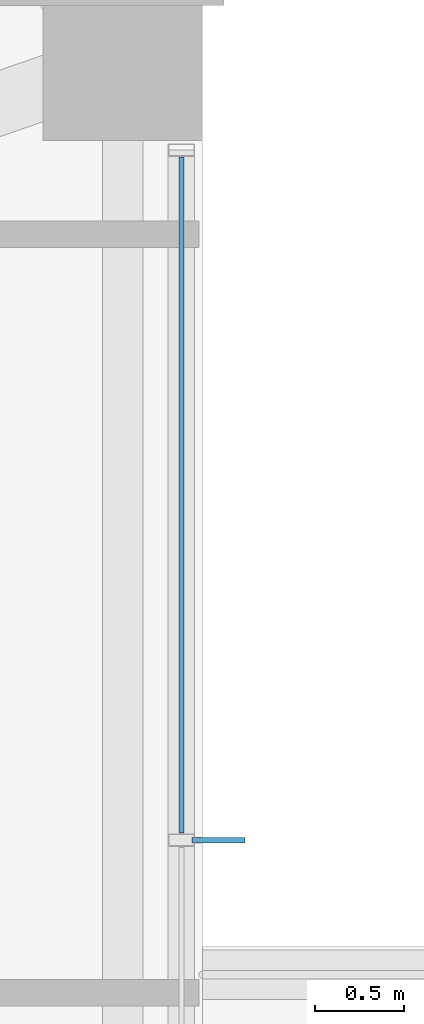
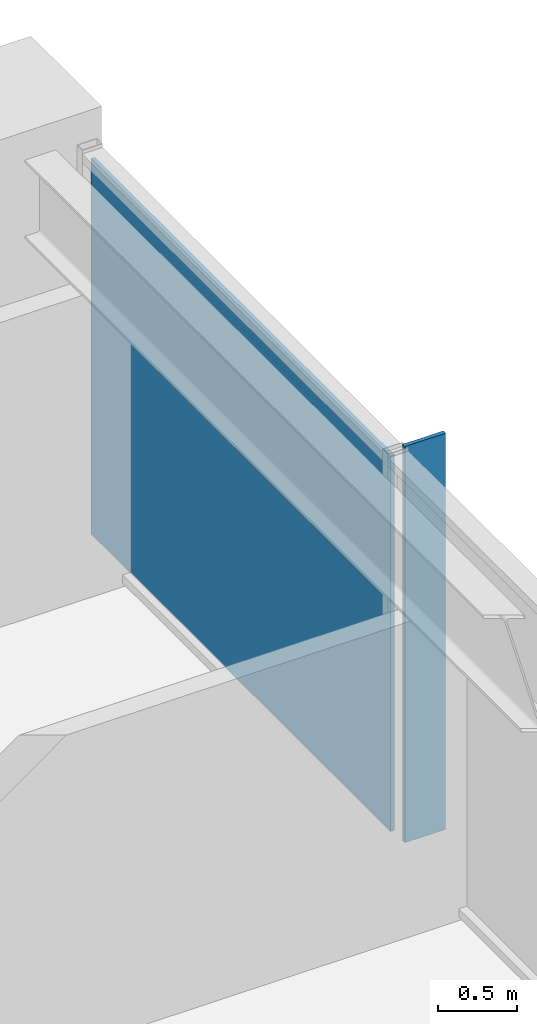
# One storey, part 26 of 34: 2 plates, 1 element without a shape of its own.
"""IFC4 building model written with IfcOpenShell, lengths in metres."""

from ifc_helpers import new_model, si_unit, direction, frame, origin, origin_2d, place, context, subcontext, project, spatial, rectangle, extrude, material, layer, layer_set, type_object, element, aggregate, save


model = new_model("IFC4")

# Units and contexts
model_context = context("Model", 3, precision=1e-05, world=origin(), true_north=direction((0.0, 1.0)))
body_context = subcontext(model_context, "Body", "Model", "MODEL_VIEW")
ifc_project = project(units=[si_unit("LENGTHUNIT", "METRE"), si_unit("AREAUNIT", "SQUARE_METRE"), si_unit("VOLUMEUNIT", "CUBIC_METRE"), si_unit("PLANEANGLEUNIT", "RADIAN"), si_unit("MASSUNIT", "GRAM", prefix="KILO")], contexts=[model_context])

# Site, building, storey
site_placement = place(None, origin())
site = spatial("IfcSite", under=ifc_project, at=site_placement, CompositionType="ELEMENT")
building_placement = place(site_placement, origin())
building = spatial("IfcBuilding", under=site, at=building_placement, Name="Kolvaren Belvedere", CompositionType="ELEMENT")
storey_placement = place(building_placement, frame((0.0, 0.0, 189.89990234375)))
storey = spatial("IfcBuildingStorey", under=building, at=storey_placement, Name="L55", CompositionType="ELEMENT", Elevation=189.89990234375)

# Curtain wall, plate
ifc_material_1 = material(Name="Anodised pale-metal aluminium AA 6063-T6", Category="aluminium")
curtain_wall_type = type_object("IfcCurtainWallType", Name="CW-Z5-HIGH", PredefinedType="NOTDEFINED", material=ifc_material_1)
curtain_wall_placement = place(storey_placement, origin())
curtain_wall = element("IfcCurtainWall", 1, at=curtain_wall_placement, inside=storey, type_object=curtain_wall_type, Name="L55 Unitised Curtain Wall FCW-L55-E1-B1", PredefinedType="NOTDEFINED")
ifc_material_2 = material(Name="Low-iron triple insulated glass", Category="glass")
ifc_layer_1 = layer(ifc_material_2, 0.028076171875)
ifc_layer_set_1 = layer_set([ifc_layer_1], Name="Low-iron triple insulated glass")
plate_type_1 = type_object("IfcPlateType", Name="CW-PNL-VIS28", PredefinedType="CURTAIN_PANEL", material=ifc_layer_set_1)
plate_1_placement = place(storey_placement, frame((20.280029296875, 10.947509765625, 0.080078125), z_axis=(0.0, 0.0, 1.0), x_axis=(0.0, -1.0, 0.0)))
plate_1 = element("IfcPlate", 2, at=plate_1_placement, type_object=plate_type_1, Name="FCW-L55-E1-B1 Vision Glazing Panel 1", PredefinedType="CURTAIN_PANEL", context=body_context, shape_type="SweptSolid", body=[
    extrude(rectangle(XDim=3.81494140625, YDim=0.028076171875, at=origin_2d()), origin(), (0.0, 0.0, 1.0), 2.919921875),
])
aggregate(curtain_wall, [plate_1])

# Plate
ifc_material_3 = material(Name="Anodised pale-metal aluminium AA 6063-T6", Category="aluminium")
ifc_layer_2 = layer(ifc_material_3, 0.030029296875)
ifc_layer_set_2 = layer_set([ifc_layer_2], Name="Anodised pale-metal aluminium AA 6063-T6")
plate_type_2 = type_object("IfcPlateType", Name="FIN-VERT-300", PredefinedType="USERDEFINED", material=ifc_layer_set_2)
plate_2_placement = place(storey_placement, frame((20.489990234375, 9.0, 0.0), z_axis=(0.0, 0.0, 1.0), x_axis=(1.0, 0.0, 0.0)))
element("IfcPlate", 3, at=plate_2_placement, inside=storey, type_object=plate_type_2, Name="L55 Pale-Metal Vertical Shading Fin FCW-L55-E1-B1-1", ObjectType="VERTICAL FIN", PredefinedType="USERDEFINED", context=body_context, shape_type="SweptSolid", body=[
    extrude(rectangle(XDim=0.300048828125, YDim=0.030029296875, at=origin_2d()), origin(), (0.0, 0.0, 1.0), 3.080078125),
])

save(model, "model.ifc")
